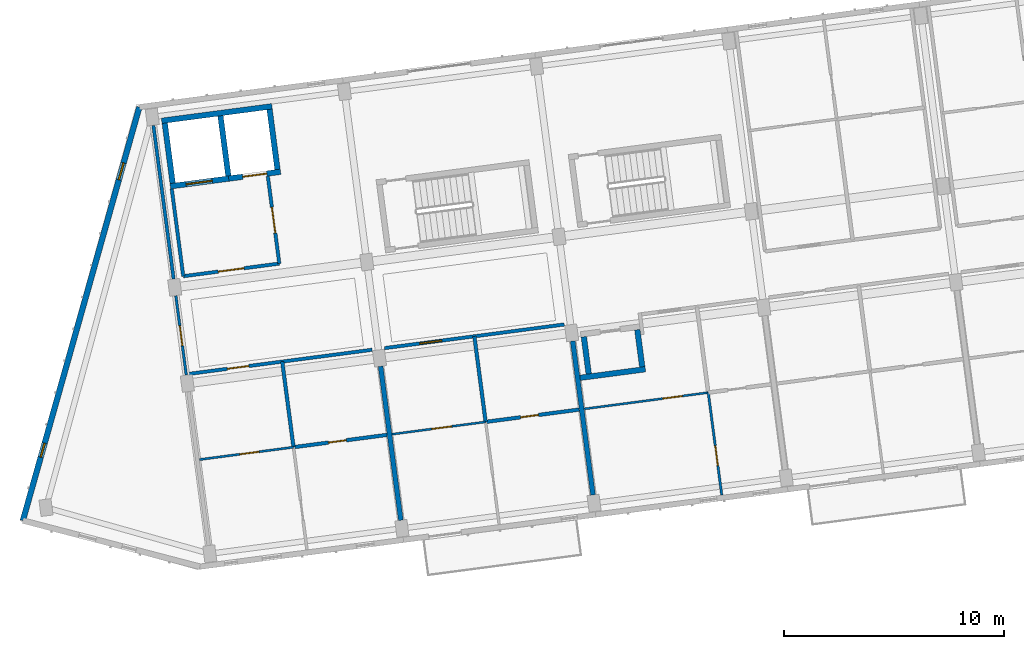
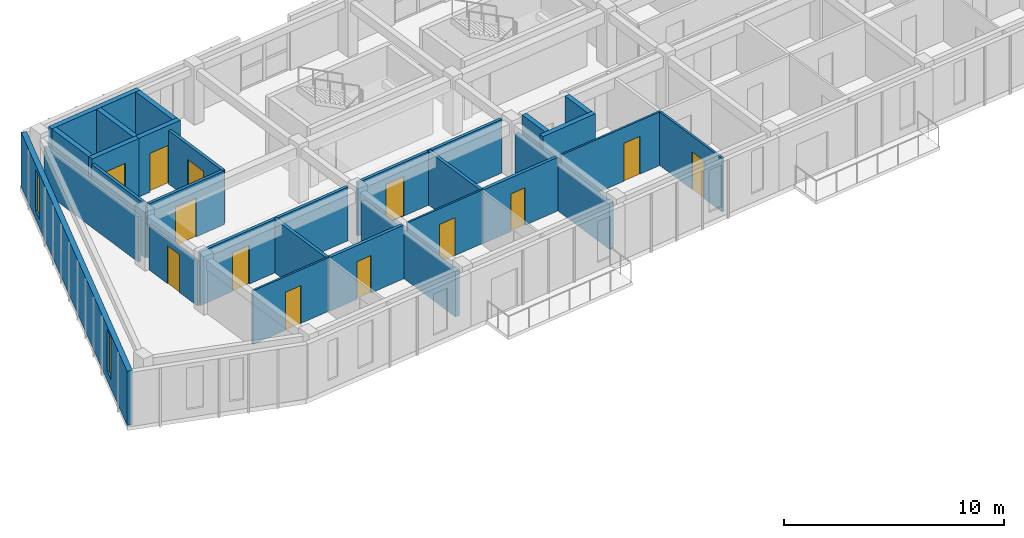
# One storey, part 25 of 74: 27 walls, 13 doors, 2 windows, 15 openings.
"""IFC4 building model written with IfcOpenShell, lengths in metres."""

from ifc_helpers import new_model, si_unit, direction, frame, frame_2d, origin, place, context, subcontext, project, spatial, rectangle, extrude, material, layer, layer_set, type_object, element, fill, save


model = new_model("IFC4")

# Units and contexts
model_context = context("Model", 3, precision=1e-05, world=origin(), true_north=direction((0.0, 1.0)))
body_context = subcontext(model_context, "Body", "Model", "MODEL_VIEW")
ifc_project = project(units=[si_unit("LENGTHUNIT", "METRE"), si_unit("AREAUNIT", "SQUARE_METRE"), si_unit("VOLUMEUNIT", "CUBIC_METRE"), si_unit("PLANEANGLEUNIT", "RADIAN"), si_unit("MASSUNIT", "GRAM", prefix="KILO")], contexts=[model_context])

# Site, building, storey
site_placement = place(None, origin())
site = spatial("IfcSite", under=ifc_project, at=site_placement, CompositionType="ELEMENT")
building_placement = place(site_placement, origin())
building = spatial("IfcBuilding", under=site, at=building_placement, Name="Kestramere Prow Commons", CompositionType="ELEMENT")
storey_placement = place(building_placement, frame((0.0, 0.0, 11.64990234375)))
storey = spatial("IfcBuildingStorey", under=building, at=storey_placement, Name="L03", CompositionType="ELEMENT", Elevation=11.64990234375)

# Wall, openings, windows
ifc_material_1 = material(Name="Weathered Zinc-Titanium Standing-Seam Cladding")
ifc_layer_1 = layer(ifc_material_1, 0.260009765625)
ifc_layer_set_1 = layer_set([ifc_layer_1], Name="Weathered Zinc-Titanium Standing-Seam Cladding")
wall_type_1 = type_object("IfcWallType", Name="EW-PROW-260", PredefinedType="SOLIDWALL", material=ifc_layer_set_1)
wall_1_placement = place(storey_placement, frame((2.7109375, 73.5048828125, 0.0), z_axis=(0.0, 0.0, 1.0), x_axis=(0.271165263368, 0.962532804606, 0.0)))
wall_1 = element("IfcWall", 1, at=wall_1_placement, inside=storey, type_object=wall_type_1, Name="Block A L03 PRW-N Facet Wall", PredefinedType="SOLIDWALL", context=body_context, shape_type="SweptSolid", body=[
    extrude(rectangle(XDim=19.5068359375, YDim=0.260009765625, at=frame_2d((9.75341796875, 0.0))), origin(), (0.0, 0.0, 1.0), 3.0),
])
opening_1_placement = place(wall_1_placement, frame((2.989990234375, 0.0, 0.52001953125)))
opening_1 = element("IfcOpeningElement", 2, at=opening_1_placement, cuts=wall_1, Name="Opening WN-05", PredefinedType="OPENING", context=body_context, shape_type="SweptSolid", body=[
    extrude(rectangle(XDim=0.659912109375, YDim=2.320068359375, at=frame_2d((0.330078125, 1.16015625))), frame((0.0, 0.14501953125, 0.0), z_axis=(0.0, -1.0, 0.0), x_axis=(1.0, 0.0, 0.0)), (0.0, 0.0, 1.0), 0.2900390625),
])
opening_2_placement = place(wall_1_placement, frame((16.076904296875, 0.0, 0.449951171875)))
opening_2 = element("IfcOpeningElement", 3, at=opening_2_placement, cuts=wall_1, Name="Opening WN-12", PredefinedType="OPENING", context=body_context, shape_type="SweptSolid", body=[
    extrude(rectangle(XDim=0.800048828125, YDim=2.300048828125, at=frame_2d((0.39990234375, 1.14990234375))), frame((0.0, 0.14501953125, 0.0), z_axis=(0.0, -1.0, 0.0), x_axis=(1.0, 0.0, 0.0)), (0.0, 0.0, 1.0), 0.2900390625),
])
ifc_material_2 = material(Name="Low-E Laminated Double Glazing", Category="glass")
window_type_1 = type_object("IfcWindowType", Name="WN-NAR-660A", PartitioningType="SINGLE_PANEL", PredefinedType="WINDOW", material=ifc_material_2)
window_1_placement = place(opening_1_placement, origin())
window_1 = element("IfcWindow", 4, at=window_1_placement, inside=storey, type_object=window_type_1, Name="WN-A-L03-PRW-N-0", OverallHeight=2.320068359375, OverallWidth=0.659912109375, PartitioningType="SINGLE_PANEL", PredefinedType="WINDOW", context=body_context, shape_type="SweptSolid", body=[
    extrude(rectangle(XDim=0.659912109375, YDim=2.320068359375, at=frame_2d((0.330078125, 1.16015625))), frame((0.0, 0.030029296875, 0.0), z_axis=(0.0, -1.0, 0.0), x_axis=(1.0, 0.0, 0.0)), (0.0, 0.0, 1.0), 0.06005859375),
])
fill(opening_1, window_1)
window_type_2 = type_object("IfcWindowType", Name="WN-NAR-800A", PartitioningType="SINGLE_PANEL", PredefinedType="WINDOW", material=ifc_material_2)
window_2_placement = place(opening_2_placement, origin())
window_2 = element("IfcWindow", 5, at=window_2_placement, inside=storey, type_object=window_type_2, Name="WN-A-L03-PRW-N-1", OverallHeight=2.300048828125, OverallWidth=0.800048828125, PartitioningType="SINGLE_PANEL", PredefinedType="WINDOW", context=body_context, shape_type="SweptSolid", body=[
    extrude(rectangle(XDim=0.800048828125, YDim=2.300048828125, at=frame_2d((0.39990234375, 1.14990234375))), frame((0.0, 0.030029296875, 0.0), z_axis=(0.0, -1.0, 0.0), x_axis=(1.0, 0.0, 0.0)), (0.0, 0.0, 1.0), 0.06005859375),
])
fill(opening_2, window_2)

# Wall
ifc_material_3 = material(Name="Concrete C40/50", Category="concrete")
ifc_layer_2 = layer(ifc_material_3, 0.25)
ifc_layer_set_2 = layer_set([ifc_layer_2], Name="Concrete C40/50")
wall_type_2 = type_object("IfcWallType", Name="W-CORE-250", PredefinedType="SHEAR", material=ifc_layer_set_2)
wall_2_placement = place(storey_placement, frame((9.015380859375, 91.657958984375, 0.0), z_axis=(0.0, 0.0, 1.0), x_axis=(0.991444419808, 0.130529546201, 0.0)))
element("IfcWall", 6, at=wall_2_placement, inside=storey, type_object=wall_type_2, Name="Block A L03 Lift Core Back Wall", PredefinedType="SHEAR", context=body_context, shape_type="SweptSolid", body=[
    extrude(rectangle(XDim=5.050048828125, YDim=0.25, at=frame_2d((2.52490234375, 0.0))), origin(), (0.0, 0.0, 1.0), 3.25),
])

# Wall, opening, door
wall_3_placement = place(storey_placement, frame((9.406982421875, 88.68359375, 0.0), z_axis=(0.0, 0.0, 1.0), x_axis=(0.991434713833, 0.130603247307, 0.0)))
wall_3 = element("IfcWall", 7, at=wall_3_placement, inside=storey, type_object=wall_type_2, Name="Block A L03 Fire Lift Shaft Front Wall", PredefinedType="SHEAR", context=body_context, shape_type="SweptSolid", body=[
    extrude(rectangle(XDim=2.675048828125, YDim=0.25, at=frame_2d((1.33740234375, 0.0))), origin(), (0.0, 0.0, 1.0), 3.25),
])
opening_3_placement = place(wall_3_placement, frame((0.719970703125, 0.0, 0.0)))
opening_3 = element("IfcOpeningElement", 8, at=opening_3_placement, cuts=wall_3, Name="Opening LD-02", PredefinedType="OPENING", context=body_context, shape_type="SweptSolid", body=[
    extrude(rectangle(XDim=1.199951171875, YDim=2.199951171875, at=frame_2d((0.60009765625, 1.10009765625))), frame((0.0, 0.139892578125, 0.0), z_axis=(0.0, -1.0, 0.0), x_axis=(1.0, 0.0, 0.0)), (0.0, 0.0, 1.0), 0.280029296875),
])
ifc_material_4 = material(Name="Brushed Stainless Steel 316", Category="steel")
door_type_1 = type_object("IfcDoorType", Name="LD-02", OperationType="DOUBLE_DOOR_SLIDING", PredefinedType="DOOR", material=ifc_material_4)
door_1_placement = place(opening_3_placement, origin())
door_1 = element("IfcDoor", 9, at=door_1_placement, inside=storey, type_object=door_type_1, Name="FL-A1 L03 Lift Landing Door", OperationType="DOUBLE_DOOR_SLIDING", OverallHeight=2.199951171875, OverallWidth=1.199951171875, PredefinedType="DOOR", context=body_context, shape_type="SweptSolid", body=[
    extrude(rectangle(XDim=1.199951171875, YDim=2.199951171875, at=frame_2d((0.60009765625, 1.10009765625))), frame((0.0, 0.02490234375, 0.0), z_axis=(0.0, -1.0, 0.0), x_axis=(1.0, 0.0, 0.0)), (0.0, 0.0, 1.0), 0.050048828125),
])
fill(opening_3, door_1)

wall_4_placement = place(storey_placement, frame((12.05908203125, 89.032958984375, 0.0), z_axis=(0.0, 0.0, 1.0), x_axis=(0.99145534515, 0.130446535303, 0.0)))
wall_4 = element("IfcWall", 10, at=wall_4_placement, inside=storey, type_object=wall_type_2, Name="Block A L03 Passenger Lift Shaft Front Wall", PredefinedType="SHEAR", context=body_context, shape_type="SweptSolid", body=[
    extrude(rectangle(XDim=2.375, YDim=0.25, at=frame_2d((1.1875, 0.0))), origin(), (0.0, 0.0, 1.0), 3.25),
])
opening_4_placement = place(wall_4_placement, frame((0.64990234375, 0.0, 0.0)))
opening_4 = element("IfcOpeningElement", 11, at=opening_4_placement, cuts=wall_4, Name="Opening LD-01", PredefinedType="OPENING", context=body_context, shape_type="SweptSolid", body=[
    extrude(rectangle(XDim=1.10009765625, YDim=2.14990234375, at=frame_2d((0.550048828125, 1.074951171875))), frame((0.0, 0.139892578125, 0.0), z_axis=(0.0, -1.0, 0.0), x_axis=(1.0, 0.0, 0.0)), (0.0, 0.0, 1.0), 0.280029296875),
])
ifc_material_5 = material(Name="Brushed Stainless Steel 304", Category="steel")
door_type_2 = type_object("IfcDoorType", Name="LD-01", OperationType="DOUBLE_DOOR_SLIDING", PredefinedType="DOOR", material=ifc_material_5)
door_2_placement = place(opening_4_placement, origin())
door_2 = element("IfcDoor", 12, at=door_2_placement, inside=storey, type_object=door_type_2, Name="PL-A2 L03 Lift Landing Door", OperationType="DOUBLE_DOOR_SLIDING", OverallHeight=2.14990234375, OverallWidth=1.10009765625, PredefinedType="DOOR", context=body_context, shape_type="SweptSolid", body=[
    extrude(rectangle(XDim=1.10009765625, YDim=2.14990234375, at=frame_2d((0.550048828125, 1.074951171875))), frame((0.0, 0.02490234375, 0.0), z_axis=(0.0, -1.0, 0.0), x_axis=(1.0, 0.0, 0.0)), (0.0, 0.0, 1.0), 0.050048828125),
])
fill(opening_4, door_2)

# Walls
for number, where, z_axis, x_axis, name in (
    (13, (9.5146484375, 88.823974609375, 0.0), (0.0, 0.0, 1.0), (-0.130500441374, 0.991448251197, 0.0), "Block A L03 Lift Core Side Wall L"),
    (14, (12.042724609375, 89.15673828125, 0.0), (0.0, 0.0, 1.0), (-0.130500441374, 0.991448251197, 0.0), "Block A L03 Lift Core Side Wall M"),
    (15, (14.2734375, 89.450439453125, 0.0), (0.0, 0.0, 1.0), (-0.130500441374, 0.991448251197, 0.0), "Block A L03 Lift Core Side Wall R"),
):
    element("IfcWall", number, at=place(storey_placement, frame(where, z_axis=z_axis, x_axis=x_axis)), inside=storey, type_object=wall_type_2, Name=name, PredefinedType="SHEAR", context=body_context, shape_type="SweptSolid", body=[
        extrude(rectangle(XDim=2.75, YDim=0.25, at=frame_2d((1.375, 0.0))), origin(), (0.0, 0.0, 1.0), 3.25),
    ])

# Wall, opening, door
ifc_material_6 = material(Name="Fire-Rated Calcium Silicate Wall")
ifc_layer_3 = layer(ifc_material_6, 0.155029296875)
ifc_layer_set_3 = layer_set([ifc_layer_3], Name="Fire-Rated Calcium Silicate Wall")
wall_type_3 = type_object("IfcWallType", Name="W-FIRE-150", PredefinedType="PARTITIONING", material=ifc_layer_set_3)
wall_5_placement = place(storey_placement, frame((9.994873046875, 84.6005859375, 0.0), z_axis=(0.0, 0.0, 1.0), x_axis=(0.991448440179, 0.130499005613, 0.0)))
wall_5 = element("IfcWall", 16, at=wall_5_placement, inside=storey, type_object=wall_type_3, Name="Interior Partition PW-A-L03-FFL-S", PredefinedType="PARTITIONING", context=body_context, shape_type="SweptSolid", body=[
    extrude(rectangle(XDim=4.400146484375, YDim=0.155029296875, at=frame_2d((2.2001953125, 0.0))), origin(), (0.0, 0.0, 1.0), 2.97021484375),
])
opening_5_placement = place(wall_5_placement, frame((1.60009765625, 0.0, 0.0)))
opening_5 = element("IfcOpeningElement", 17, at=opening_5_placement, cuts=wall_5, Name="Opening ID-03", PredefinedType="OPENING", context=body_context, shape_type="SweptSolid", body=[
    extrude(rectangle(XDim=1.179931640625, YDim=2.14990234375, at=frame_2d((0.58984375, 1.074951171875))), frame((0.0, 0.092529296875, 0.0), z_axis=(0.0, -1.0, 0.0), x_axis=(1.0, 0.0, 0.0)), (0.0, 0.0, 1.0), 0.18505859375),
])
ifc_material_7 = material(Name="Fire-Rated Glazed Smoke-Stop Door")
door_type_3 = type_object("IfcDoorType", Name="FD-LB-01", OperationType="NOTDEFINED", PredefinedType="DOOR", material=ifc_material_7)
door_3_placement = place(opening_5_placement, origin())
door_3 = element("IfcDoor", 18, at=door_3_placement, inside=storey, type_object=door_type_3, Name="Interior Door DR-A-L03-FFL", OperationType="SINGLE_SWING_RIGHT", OverallHeight=2.14990234375, OverallWidth=1.179931640625, PredefinedType="DOOR", context=body_context, shape_type="SweptSolid", body=[
    extrude(rectangle(XDim=1.179931640625, YDim=2.14990234375, at=frame_2d((0.58984375, 1.074951171875))), frame((0.0, 0.02490234375, 0.0), z_axis=(0.0, -1.0, 0.0), x_axis=(1.0, 0.0, 0.0)), (0.0, 0.0, 1.0), 0.050048828125),
])
fill(opening_5, door_3)

# Wall
wall_6_placement = place(storey_placement, frame((9.994873046875, 84.6005859375, 0.0), z_axis=(0.0, 0.0, 1.0), x_axis=(-0.130492404742, 0.991449308994, 0.0)))
element("IfcWall", 19, at=wall_6_placement, inside=storey, type_object=wall_type_3, Name="Interior Partition PW-A-L03-FFL-W", PredefinedType="PARTITIONING", context=body_context, shape_type="SweptSolid", body=[
    extrude(rectangle(XDim=4.0, YDim=0.155029296875, at=frame_2d((2.0, 0.0))), origin(), (0.0, 0.0, 1.0), 2.97021484375),
])

# Wall, opening, door
wall_7_placement = place(storey_placement, frame((14.357421875, 85.1748046875, 0.0), z_axis=(0.0, 0.0, 1.0), x_axis=(-0.130552399509, 0.991441410766, 0.0)))
wall_7 = element("IfcWall", 20, at=wall_7_placement, inside=storey, type_object=wall_type_3, Name="Interior Partition PW-A-L03-FFL-E", PredefinedType="PARTITIONING", context=body_context, shape_type="SweptSolid", body=[
    extrude(rectangle(XDim=4.0, YDim=0.155029296875, at=frame_2d((2.0, 0.0))), origin(), (0.0, 0.0, 1.0), 2.97021484375),
])
opening_6_placement = place(wall_7_placement, frame((1.39990234375, 0.0, 0.0)))
opening_6 = element("IfcOpeningElement", 21, at=opening_6_placement, cuts=wall_7, Name="Opening ID-03", PredefinedType="OPENING", context=body_context, shape_type="SweptSolid", body=[
    extrude(rectangle(XDim=1.179931640625, YDim=2.14990234375, at=frame_2d((0.58984375, 1.074951171875))), frame((0.0, 0.092529296875, 0.0), z_axis=(0.0, -1.0, 0.0), x_axis=(1.0, 0.0, 0.0)), (0.0, 0.0, 1.0), 0.18505859375),
])
door_4_placement = place(opening_6_placement, origin())
door_4 = element("IfcDoor", 22, at=door_4_placement, inside=storey, type_object=door_type_3, Name="Interior Door DR-A-L03-FFL-PL", OperationType="SINGLE_SWING_LEFT", OverallHeight=2.14990234375, OverallWidth=1.179931640625, PredefinedType="DOOR", context=body_context, shape_type="SweptSolid", body=[
    extrude(rectangle(XDim=1.179931640625, YDim=2.14990234375, at=frame_2d((0.58984375, 1.074951171875))), frame((0.0, 0.02490234375, 0.0), z_axis=(0.0, -1.0, 0.0), x_axis=(1.0, 0.0, 0.0)), (0.0, 0.0, 1.0), 0.050048828125),
])
fill(opening_6, door_4)

wall_8_placement = place(storey_placement, frame((10.196533203125, 80.158935546875, 0.0), z_axis=(0.0, 0.0, 1.0), x_axis=(0.991448685923, 0.130497138599, 0.0)))
wall_8 = element("IfcWall", 23, at=wall_8_placement, inside=storey, type_object=wall_type_3, Name="Interior Partition PW-A-L03-CS-0", PredefinedType="PARTITIONING", context=body_context, shape_type="SweptSolid", body=[
    extrude(rectangle(XDim=8.445068359375, YDim=0.155029296875, at=frame_2d((4.22265625, 0.0))), origin(), (0.0, 0.0, 1.0), 2.97021484375),
])
opening_7_placement = place(wall_8_placement, frame((1.820068359375, 0.0, 0.0)))
opening_7 = element("IfcOpeningElement", 24, at=opening_7_placement, cuts=wall_8, Name="Opening ID-04", PredefinedType="OPENING", context=body_context, shape_type="SweptSolid", body=[
    extrude(rectangle(XDim=0.97998046875, YDim=2.14990234375, at=frame_2d((0.489990234375, 1.074951171875))), frame((0.0, 0.092529296875, 0.0), z_axis=(0.0, -1.0, 0.0), x_axis=(1.0, 0.0, 0.0)), (0.0, 0.0, 1.0), 0.18505859375),
])
ifc_material_8 = material(Name="Hardwood Fire-Rated Flat Entrance Door", Category="wood")
door_type_4 = type_object("IfcDoorType", Name="FD-ENT-01", OperationType="NOTDEFINED", PredefinedType="DOOR", material=ifc_material_8)
door_5_placement = place(opening_7_placement, origin())
door_5 = element("IfcDoor", 25, at=door_5_placement, inside=storey, type_object=door_type_4, Name="Interior Door DR-A-L03-ENT-S0", OperationType="SINGLE_SWING_RIGHT", OverallHeight=2.14990234375, OverallWidth=0.97998046875, PredefinedType="DOOR", context=body_context, shape_type="SweptSolid", body=[
    extrude(rectangle(XDim=0.97998046875, YDim=2.14990234375, at=frame_2d((0.489990234375, 1.074951171875))), frame((0.0, 0.02490234375, 0.0), z_axis=(0.0, -1.0, 0.0), x_axis=(1.0, 0.0, 0.0)), (0.0, 0.0, 1.0), 0.050048828125),
])
fill(opening_7, door_5)

wall_9_placement = place(storey_placement, frame((19.13427734375, 81.33544921875, 0.0), z_axis=(0.0, 0.0, 1.0), x_axis=(0.991445206002, 0.130523574484, 0.0)))
wall_9 = element("IfcWall", 26, at=wall_9_placement, inside=storey, type_object=wall_type_3, Name="Interior Partition PW-A-L03-CS-1", PredefinedType="PARTITIONING", context=body_context, shape_type="SweptSolid", body=[
    extrude(rectangle(XDim=8.22998046875, YDim=0.155029296875, at=frame_2d((4.114990234375, 0.0))), origin(), (0.0, 0.0, 1.0), 2.97021484375),
])
opening_8_placement = place(wall_9_placement, frame((1.60498046875, 0.0, 0.0)))
opening_8 = element("IfcOpeningElement", 27, at=opening_8_placement, cuts=wall_9, Name="Opening ID-05", PredefinedType="OPENING", context=body_context, shape_type="SweptSolid", body=[
    extrude(rectangle(XDim=1.02001953125, YDim=2.199951171875, at=frame_2d((0.510009765625, 1.10009765625))), frame((0.0, 0.092529296875, 0.0), z_axis=(0.0, -1.0, 0.0), x_axis=(1.0, 0.0, 0.0)), (0.0, 0.0, 1.0), 0.18505859375),
])
door_type_5 = type_object("IfcDoorType", Name="FD-ENT-02", OperationType="NOTDEFINED", PredefinedType="DOOR", material=ifc_material_8)
door_6_placement = place(opening_8_placement, origin())
door_6 = element("IfcDoor", 28, at=door_6_placement, inside=storey, type_object=door_type_5, Name="Interior Door DR-A-L03-ENT-S1", OperationType="SINGLE_SWING_LEFT", OverallHeight=2.199951171875, OverallWidth=1.02001953125, PredefinedType="DOOR", context=body_context, shape_type="SweptSolid", body=[
    extrude(rectangle(XDim=1.02001953125, YDim=2.199951171875, at=frame_2d((0.510009765625, 1.10009765625))), frame((0.0, 0.02490234375, 0.0), z_axis=(0.0, -1.0, 0.0), x_axis=(1.0, 0.0, 0.0)), (0.0, 0.0, 1.0), 0.050048828125),
])
fill(opening_8, door_6)

# Walls
ifc_layer_4 = layer(ifc_material_3, 0.25)
ifc_layer_set_4 = layer_set([ifc_layer_4], Name="Concrete C40/50")
wall_type_4 = type_object("IfcWallType", Name="W-HS-250", PredefinedType="SHEAR", material=ifc_layer_set_4)
wall_10_placement = place(storey_placement, frame((28.01123046875, 79.987548828125, 0.0), z_axis=(0.0, 0.0, 1.0), x_axis=(0.991439837467, 0.130564346904, 0.0)))
element("IfcWall", 29, at=wall_10_placement, inside=storey, type_object=wall_type_4, Name="Block A L03 Household Shelter South Wall", PredefinedType="SHEAR", context=body_context, shape_type="SweptSolid", body=[
    extrude(rectangle(XDim=2.989990234375, YDim=0.25, at=frame_2d((1.4951171875, 0.0))), origin(), (0.0, 0.0, 1.0), 3.25),
])
wall_11_placement = place(storey_placement, frame((28.40625, 80.165771484375, 0.0), z_axis=(0.0, 0.0, 1.0), x_axis=(-0.130413643681, 0.991459672171, 0.0)))
element("IfcWall", 30, at=wall_11_placement, inside=storey, type_object=wall_type_4, Name="Block A L03 Household Shelter W Wall", PredefinedType="SHEAR", context=body_context, shape_type="SweptSolid", body=[
    extrude(rectangle(XDim=1.69970703125, YDim=0.25, at=frame_2d((0.849853515625, 0.0))), origin(), (0.0, 0.0, 1.0), 3.25),
])
wall_12_placement = place(storey_placement, frame((30.83544921875, 80.485595703125, 0.0), z_axis=(0.0, 0.0, 1.0), x_axis=(-0.1305548243, 0.991441091468, 0.0)))
element("IfcWall", 31, at=wall_12_placement, inside=storey, type_object=wall_type_4, Name="Block A L03 Household Shelter E Wall", PredefinedType="SHEAR", context=body_context, shape_type="SweptSolid", body=[
    extrude(rectangle(XDim=1.699951171875, YDim=0.25, at=frame_2d((0.85009765625, 0.0))), origin(), (0.0, 0.0, 1.0), 3.25),
])

# Wall, opening, door
ifc_material_9 = material(Name="Gypsum Acoustic Drywall")
ifc_layer_5 = layer(ifc_material_9, 0.10009765625)
ifc_layer_set_5 = layer_set([ifc_layer_5], Name="Gypsum Acoustic Drywall")
wall_type_5 = type_object("IfcWallType", Name="W-PART-100", PredefinedType="PARTITIONING", material=ifc_layer_set_5)
wall_13_placement = place(storey_placement, frame((10.72802734375, 76.27490234375, 0.0), z_axis=(0.0, 0.0, 1.0), x_axis=(0.991438863922, 0.130571739306, 0.0)))
wall_13 = element("IfcWall", 32, at=wall_13_placement, inside=storey, type_object=wall_type_5, Name="Interior Partition PW-A-L03-MIDS1-0", PredefinedType="PARTITIONING", context=body_context, shape_type="SweptSolid", body=[
    extrude(rectangle(XDim=4.309814453125, YDim=0.10009765625, at=frame_2d((2.15478515625, 0.0))), origin(), (0.0, 0.0, 1.0), 2.97021484375),
])
opening_9_placement = place(wall_13_placement, frame((1.85009765625, 0.0, 0.0)))
opening_9 = element("IfcOpeningElement", 33, at=opening_9_placement, cuts=wall_13, Name="Opening ID-10", PredefinedType="OPENING", context=body_context, shape_type="SweptSolid", body=[
    extrude(rectangle(XDim=0.8798828125, YDim=2.10009765625, at=frame_2d((0.43994140625, 1.050048828125))), frame((0.0, 0.06494140625, 0.0), z_axis=(0.0, -1.0, 0.0), x_axis=(1.0, 0.0, 0.0)), (0.0, 0.0, 1.0), 0.130126953125),
])
ifc_material_10 = material(Name="Engineered Timber Bedroom Door", Category="wood")
door_type_6 = type_object("IfcDoorType", Name="D-RM-03", OperationType="NOTDEFINED", PredefinedType="DOOR", material=ifc_material_10)
door_7_placement = place(opening_9_placement, origin())
door_7 = element("IfcDoor", 34, at=door_7_placement, inside=storey, type_object=door_type_6, Name="Interior Door DR-A-L03-KL-S0", OperationType="SINGLE_SWING_RIGHT", OverallHeight=2.10009765625, OverallWidth=0.8798828125, PredefinedType="DOOR", context=body_context, shape_type="SweptSolid", body=[
    extrude(rectangle(XDim=0.8798828125, YDim=2.10009765625, at=frame_2d((0.43994140625, 1.050048828125))), frame((0.0, 0.02490234375, 0.0), z_axis=(0.0, -1.0, 0.0), x_axis=(1.0, 0.0, 0.0)), (0.0, 0.0, 1.0), 0.050048828125),
])
fill(opening_9, door_7)

ifc_layer_6 = layer(ifc_material_9, 0.110107421875)
ifc_layer_set_6 = layer_set([ifc_layer_6], Name="Gypsum Acoustic Drywall")
wall_type_6 = type_object("IfcWallType", Name="W-PART-110", PredefinedType="PARTITIONING", material=ifc_layer_set_6)
wall_14_placement = place(storey_placement, frame((34.44580078125, 74.6669921875, 0.0), z_axis=(0.0, 0.0, 1.0), x_axis=(-0.130554157184, 0.991441179315, 0.0)))
wall_14 = element("IfcWall", 35, at=wall_14_placement, inside=storey, type_object=wall_type_6, Name="Interior Partition PW-A-L03-LB-S2", PredefinedType="PARTITIONING", context=body_context, shape_type="SweptSolid", body=[
    extrude(rectangle(XDim=4.68994140625, YDim=0.110107421875, at=frame_2d((2.344970703125, 0.0))), origin(), (0.0, 0.0, 1.0), 2.97021484375),
])
opening_10_placement = place(wall_14_placement, frame((1.35009765625, 0.0, 0.0)))
opening_10 = element("IfcOpeningElement", 36, at=opening_10_placement, cuts=wall_14, Name="Opening ID-08", PredefinedType="OPENING", context=body_context, shape_type="SweptSolid", body=[
    extrude(rectangle(XDim=0.89990234375, YDim=2.10009765625, at=frame_2d((0.449951171875, 1.050048828125))), frame((0.0, 0.070068359375, 0.0), z_axis=(0.0, -1.0, 0.0), x_axis=(1.0, 0.0, 0.0)), (0.0, 0.0, 1.0), 0.14013671875),
])
ifc_material_11 = material(Name="Engineered Timber Flush Door", Category="wood")
door_type_7 = type_object("IfcDoorType", Name="D-RM-01", OperationType="NOTDEFINED", PredefinedType="DOOR", material=ifc_material_11)
door_8_placement = place(opening_10_placement, origin())
door_8 = element("IfcDoor", 37, at=door_8_placement, inside=storey, type_object=door_type_7, Name="Interior Door DR-A-L03-BED-S2", OperationType="SINGLE_SWING_LEFT", OverallHeight=2.10009765625, OverallWidth=0.89990234375, PredefinedType="DOOR", context=body_context, shape_type="SweptSolid", body=[
    extrude(rectangle(XDim=0.89990234375, YDim=2.10009765625, at=frame_2d((0.449951171875, 1.050048828125))), frame((0.0, 0.02490234375, 0.0), z_axis=(0.0, -1.0, 0.0), x_axis=(1.0, 0.0, 0.0)), (0.0, 0.0, 1.0), 0.050048828125),
])
fill(opening_10, door_8)

ifc_material_12 = material(Name="Lightweight Blockwork and Plaster", Category="masonry")
ifc_layer_7 = layer(ifc_material_12, 0.1201171875)
ifc_layer_set_7 = layer_set([ifc_layer_7], Name="Lightweight Blockwork and Plaster")
wall_type_7 = type_object("IfcWallType", Name="W-PART-120", PredefinedType="PARTITIONING", material=ifc_layer_set_7)
wall_15_placement = place(storey_placement, frame((10.131591796875, 80.114990234375, 0.0), z_axis=(0.0, 0.0, 1.0), x_axis=(-0.130546722025, 0.991442158357, 0.0)))
wall_15 = element("IfcWall", 38, at=wall_15_placement, inside=storey, type_object=wall_type_7, Name="Interior Partition PW-A-L03-PROW-ACC", PredefinedType="PARTITIONING", context=body_context, shape_type="SweptSolid", body=[
    extrude(rectangle(XDim=3.6298828125, YDim=0.1201171875, at=frame_2d((1.81494140625, 0.0))), origin(), (0.0, 0.0, 1.0), 2.5),
])
opening_11_placement = place(wall_15_placement, frame((1.35009765625, 0.0, 0.0)))
opening_11 = element("IfcOpeningElement", 39, at=opening_11_placement, cuts=wall_15, Name="Opening ID-08", PredefinedType="OPENING", context=body_context, shape_type="SweptSolid", body=[
    extrude(rectangle(XDim=0.89990234375, YDim=2.10009765625, at=frame_2d((0.449951171875, 1.050048828125))), frame((0.0, 0.074951171875, 0.0), z_axis=(0.0, -1.0, 0.0), x_axis=(1.0, 0.0, 0.0)), (0.0, 0.0, 1.0), 0.150146484375),
])
door_9_placement = place(opening_11_placement, origin())
door_9 = element("IfcDoor", 40, at=door_9_placement, inside=storey, type_object=door_type_7, Name="Interior Door DR-A-L03-PROW", OperationType="SINGLE_SWING_LEFT", OverallHeight=2.10009765625, OverallWidth=0.89990234375, PredefinedType="DOOR", context=body_context, shape_type="SweptSolid", body=[
    extrude(rectangle(XDim=0.89990234375, YDim=2.10009765625, at=frame_2d((0.449951171875, 1.050048828125))), frame((0.0, 0.02490234375, 0.0), z_axis=(0.0, -1.0, 0.0), x_axis=(1.0, 0.0, 0.0)), (0.0, 0.0, 1.0), 0.050048828125),
])
fill(opening_11, door_9)

# Wall
ifc_material_13 = material(Name="Masonry Compartment Wall", Category="masonry")
ifc_layer_8 = layer(ifc_material_13, 0.14990234375)
ifc_layer_set_8 = layer_set([ifc_layer_8], Name="Masonry Compartment Wall")
wall_type_8 = type_object("IfcWallType", Name="W-PART-150", PredefinedType="PARTITIONING", material=ifc_layer_set_8)
wall_16_placement = place(storey_placement, frame((9.557373046875, 84.477294921875, 0.0), z_axis=(0.0, 0.0, 1.0), x_axis=(-0.130541650614, 0.991442826115, 0.0)))
element("IfcWall", 41, at=wall_16_placement, inside=storey, type_object=wall_type_8, Name="Interior Partition PW-A-L03-PRW-N", PredefinedType="PARTITIONING", context=body_context, shape_type="SweptSolid", body=[
    extrude(rectangle(XDim=7.030029296875, YDim=0.14990234375, at=frame_2d((3.51513671875, 0.0))), origin(), (0.0, 0.0, 1.0), 2.5),
])

# Wall, opening, door
ifc_layer_9 = layer(ifc_material_9, 0.094970703125)
ifc_layer_set_9 = layer_set([ifc_layer_9], Name="Gypsum Acoustic Drywall")
wall_type_9 = type_object("IfcWallType", Name="W-PART-95", PredefinedType="PARTITIONING", material=ifc_layer_set_9)
wall_17_placement = place(storey_placement, frame((19.4775390625, 77.4267578125, 0.0), z_axis=(0.0, 0.0, 1.0), x_axis=(0.991444014242, 0.130532626667, 0.0)))
wall_17 = element("IfcWall", 42, at=wall_17_placement, inside=storey, type_object=wall_type_9, Name="Interior Partition PW-A-L03-MIDS1-1", PredefinedType="PARTITIONING", context=body_context, shape_type="SweptSolid", body=[
    extrude(rectangle(XDim=4.284912109375, YDim=0.094970703125, at=frame_2d((2.142578125, 0.0))), origin(), (0.0, 0.0, 1.0), 2.97021484375),
])
opening_12_placement = place(wall_17_placement, frame((1.824951171875, 0.0, 0.0)))
opening_12 = element("IfcOpeningElement", 43, at=opening_12_placement, cuts=wall_17, Name="Opening ID-08", PredefinedType="OPENING", context=body_context, shape_type="SweptSolid", body=[
    extrude(rectangle(XDim=0.89990234375, YDim=2.10009765625, at=frame_2d((0.449951171875, 1.050048828125))), frame((0.0, 0.0625, 0.0), z_axis=(0.0, -1.0, 0.0), x_axis=(1.0, 0.0, 0.0)), (0.0, 0.0, 1.0), 0.125),
])
door_10_placement = place(opening_12_placement, origin())
door_10 = element("IfcDoor", 44, at=door_10_placement, inside=storey, type_object=door_type_7, Name="Interior Door DR-A-L03-KL-S1", OperationType="SINGLE_SWING_RIGHT", OverallHeight=2.10009765625, OverallWidth=0.89990234375, PredefinedType="DOOR", context=body_context, shape_type="SweptSolid", body=[
    extrude(rectangle(XDim=0.89990234375, YDim=2.10009765625, at=frame_2d((0.449951171875, 1.050048828125))), frame((0.0, 0.02490234375, 0.0), z_axis=(0.0, -1.0, 0.0), x_axis=(1.0, 0.0, 0.0)), (0.0, 0.0, 1.0), 0.050048828125),
])
fill(opening_12, door_10)

wall_18_placement = place(storey_placement, frame((28.2021484375, 78.575439453125, 0.0), z_axis=(0.0, 0.0, 1.0), x_axis=(0.991443173156, 0.130539014865, 0.0)))
wall_18 = element("IfcWall", 45, at=wall_18_placement, inside=storey, type_object=wall_type_9, Name="Interior Partition PW-A-L03-MIDS1-2", PredefinedType="PARTITIONING", context=body_context, shape_type="SweptSolid", body=[
    extrude(rectangle(XDim=5.679931640625, YDim=0.094970703125, at=frame_2d((2.83984375, 0.0))), origin(), (0.0, 0.0, 1.0), 2.97021484375),
])
opening_13_placement = place(wall_18_placement, frame((3.594970703125, 0.0, 0.0)))
opening_13 = element("IfcOpeningElement", 46, at=opening_13_placement, cuts=wall_18, Name="Opening ID-08", PredefinedType="OPENING", context=body_context, shape_type="SweptSolid", body=[
    extrude(rectangle(XDim=0.89990234375, YDim=2.10009765625, at=frame_2d((0.449951171875, 1.050048828125))), frame((0.0, 0.0625, 0.0), z_axis=(0.0, -1.0, 0.0), x_axis=(1.0, 0.0, 0.0)), (0.0, 0.0, 1.0), 0.125),
])
door_11_placement = place(opening_13_placement, origin())
door_11 = element("IfcDoor", 47, at=door_11_placement, inside=storey, type_object=door_type_7, Name="Interior Door DR-A-L03-KL-S2", OperationType="SINGLE_SWING_RIGHT", OverallHeight=2.10009765625, OverallWidth=0.89990234375, PredefinedType="DOOR", context=body_context, shape_type="SweptSolid", body=[
    extrude(rectangle(XDim=0.89990234375, YDim=2.10009765625, at=frame_2d((0.449951171875, 1.050048828125))), frame((0.0, 0.02490234375, 0.0), z_axis=(0.0, -1.0, 0.0), x_axis=(1.0, 0.0, 0.0)), (0.0, 0.0, 1.0), 0.050048828125),
])
fill(opening_13, door_11)

ifc_material_14 = material(Name="Waterproof Sanitary Masonry Wall", Category="masonry")
ifc_layer_10 = layer(ifc_material_14, 0.1650390625)
ifc_layer_set_10 = layer_set([ifc_layer_10], Name="Waterproof Sanitary Masonry Wall")
wall_type_10 = type_object("IfcWallType", Name="W-PLUMB-150", PredefinedType="PLUMBINGWALL", material=ifc_layer_set_10)
wall_19_placement = place(storey_placement, frame((15.0009765625, 76.837646484375, 0.0), z_axis=(0.0, 0.0, 1.0), x_axis=(0.991452356241, 0.130469250419, 0.0)))
wall_19 = element("IfcWall", 48, at=wall_19_placement, inside=storey, type_object=wall_type_10, Name="Interior Partition PW-A-L03-MIDS2-0", PredefinedType="PLUMBINGWALL", context=body_context, shape_type="SweptSolid", body=[
    extrude(rectangle(XDim=4.28515625, YDim=0.1650390625, at=frame_2d((2.142578125, 0.0))), origin(), (0.0, 0.0, 1.0), 2.97021484375),
])
opening_14_placement = place(wall_19_placement, frame((1.60009765625, 0.0, 0.0)))
opening_14 = element("IfcOpeningElement", 49, at=opening_14_placement, cuts=wall_19, Name="Opening ID-11", PredefinedType="OPENING", context=body_context, shape_type="SweptSolid", body=[
    extrude(rectangle(XDim=0.820068359375, YDim=2.080078125, at=frame_2d((0.41015625, 1.0400390625))), frame((0.0, 0.097412109375, 0.0), z_axis=(0.0, -1.0, 0.0), x_axis=(1.0, 0.0, 0.0)), (0.0, 0.0, 1.0), 0.195068359375),
])
ifc_material_15 = material(Name="Moisture-Resistant Timber Bathroom Door", Category="wood")
door_type_8 = type_object("IfcDoorType", Name="D-BT-01", OperationType="NOTDEFINED", PredefinedType="DOOR", material=ifc_material_15)
door_12_placement = place(opening_14_placement, origin())
door_12 = element("IfcDoor", 50, at=door_12_placement, inside=storey, type_object=door_type_8, Name="Interior Door DR-A-L03-BTH-S0", OperationType="SINGLE_SWING_LEFT", OverallHeight=2.080078125, OverallWidth=0.820068359375, PredefinedType="DOOR", context=body_context, shape_type="SweptSolid", body=[
    extrude(rectangle(XDim=0.820068359375, YDim=2.080078125, at=frame_2d((0.41015625, 1.0400390625))), frame((0.0, 0.02490234375, 0.0), z_axis=(0.0, -1.0, 0.0), x_axis=(1.0, 0.0, 0.0)), (0.0, 0.0, 1.0), 0.050048828125),
])
fill(opening_14, door_12)

# Wall
wall_20_placement = place(storey_placement, frame((15.0009765625, 76.837646484375, 0.0), z_axis=(0.0, 0.0, 1.0), x_axis=(-0.130486736108, 0.991450055071, 0.0)))
element("IfcWall", 51, at=wall_20_placement, inside=storey, type_object=wall_type_10, Name="Interior Partition PW-A-L03-KB-S0", PredefinedType="PLUMBINGWALL", context=body_context, shape_type="SweptSolid", body=[
    extrude(rectangle(XDim=3.919677734375, YDim=0.1650390625, at=frame_2d((1.9599609375, 0.0))), origin(), (0.0, 0.0, 1.0), 2.97021484375),
])

# Wall, opening, door
wall_21_placement = place(storey_placement, frame((23.725830078125, 77.986083984375, 0.0), z_axis=(0.0, 0.0, 1.0), x_axis=(0.991444014242, 0.130532626667, 0.0)))
wall_21 = element("IfcWall", 52, at=wall_21_placement, inside=storey, type_object=wall_type_10, Name="Interior Partition PW-A-L03-MIDS2-1", PredefinedType="PLUMBINGWALL", context=body_context, shape_type="SweptSolid", body=[
    extrude(rectangle(XDim=4.284912109375, YDim=0.1650390625, at=frame_2d((2.142578125, 0.0))), origin(), (0.0, 0.0, 1.0), 2.97021484375),
])
opening_15_placement = place(wall_21_placement, frame((1.60009765625, 0.0, 0.0)))
opening_15 = element("IfcOpeningElement", 53, at=opening_15_placement, cuts=wall_21, Name="Opening ID-11", PredefinedType="OPENING", context=body_context, shape_type="SweptSolid", body=[
    extrude(rectangle(XDim=0.820068359375, YDim=2.080078125, at=frame_2d((0.41015625, 1.0400390625))), frame((0.0, 0.097412109375, 0.0), z_axis=(0.0, -1.0, 0.0), x_axis=(1.0, 0.0, 0.0)), (0.0, 0.0, 1.0), 0.195068359375),
])
door_13_placement = place(opening_15_placement, origin())
door_13 = element("IfcDoor", 54, at=door_13_placement, inside=storey, type_object=door_type_8, Name="Interior Door DR-A-L03-BTH-S1", OperationType="SINGLE_SWING_LEFT", OverallHeight=2.080078125, OverallWidth=0.820068359375, PredefinedType="DOOR", context=body_context, shape_type="SweptSolid", body=[
    extrude(rectangle(XDim=0.820068359375, YDim=2.080078125, at=frame_2d((0.41015625, 1.0400390625))), frame((0.0, 0.02490234375, 0.0), z_axis=(0.0, -1.0, 0.0), x_axis=(1.0, 0.0, 0.0)), (0.0, 0.0, 1.0), 0.050048828125),
])
fill(opening_15, door_13)

# Walls
wall_22_placement = place(storey_placement, frame((23.725830078125, 77.986083984375, 0.0), z_axis=(0.0, 0.0, 1.0), x_axis=(-0.130539898676, 0.991443056788, 0.0)))
element("IfcWall", 55, at=wall_22_placement, inside=storey, type_object=wall_type_10, Name="Interior Partition PW-A-L03-KB-S1", PredefinedType="PLUMBINGWALL", context=body_context, shape_type="SweptSolid", body=[
    extrude(rectangle(XDim=3.919921875, YDim=0.1650390625, at=frame_2d((1.9599609375, 0.0))), origin(), (0.0, 0.0, 1.0), 2.97021484375),
])
ifc_material_16 = material(Name="Precast concrete C40/50", Category="concrete")
ifc_layer_11 = layer(ifc_material_16, 0.219970703125)
ifc_layer_set_11 = layer_set([ifc_layer_11], Name="Precast concrete C40/50")
wall_type_11 = type_object("IfcWallType", Name="W-XWALL-220", PredefinedType="SHEAR", material=ifc_layer_set_11)
wall_23_placement = place(storey_placement, frame((19.875732421875, 73.5205078125, 0.0), z_axis=(0.0, 0.0, 1.0), x_axis=(-0.130523490966, 0.991445216997, 0.0)))
element("IfcWall", 56, at=wall_23_placement, inside=storey, type_object=wall_type_11, Name="Block A L03 Precast Cross-Wall 1", PredefinedType="SHEAR", context=body_context, shape_type="SweptSolid", body=[
    extrude(rectangle(XDim=7.0498046875, YDim=0.219970703125, at=frame_2d((3.52490234375, 0.0))), origin(), (0.0, 0.0, 1.0), 2.5),
])
wall_24_placement = place(storey_placement, frame((28.6005859375, 74.6689453125, 0.0), z_axis=(0.0, 0.0, 1.0), x_axis=(-0.130553049113, 0.991441325227, 0.0)))
element("IfcWall", 57, at=wall_24_placement, inside=storey, type_object=wall_type_11, Name="Block A L03 Precast Cross-Wall 2", PredefinedType="SHEAR", context=body_context, shape_type="SweptSolid", body=[
    extrude(rectangle(XDim=7.050048828125, YDim=0.219970703125, at=frame_2d((3.52490234375, 0.0))), origin(), (0.0, 0.0, 1.0), 2.5),
])

save(model, "model.ifc")
